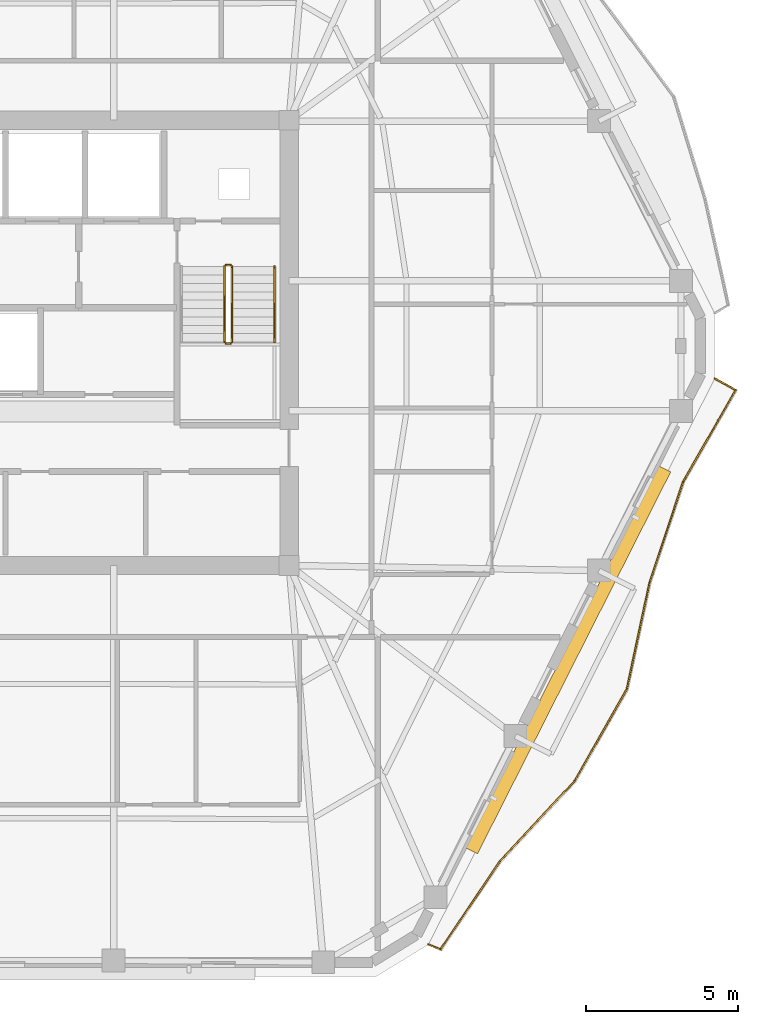
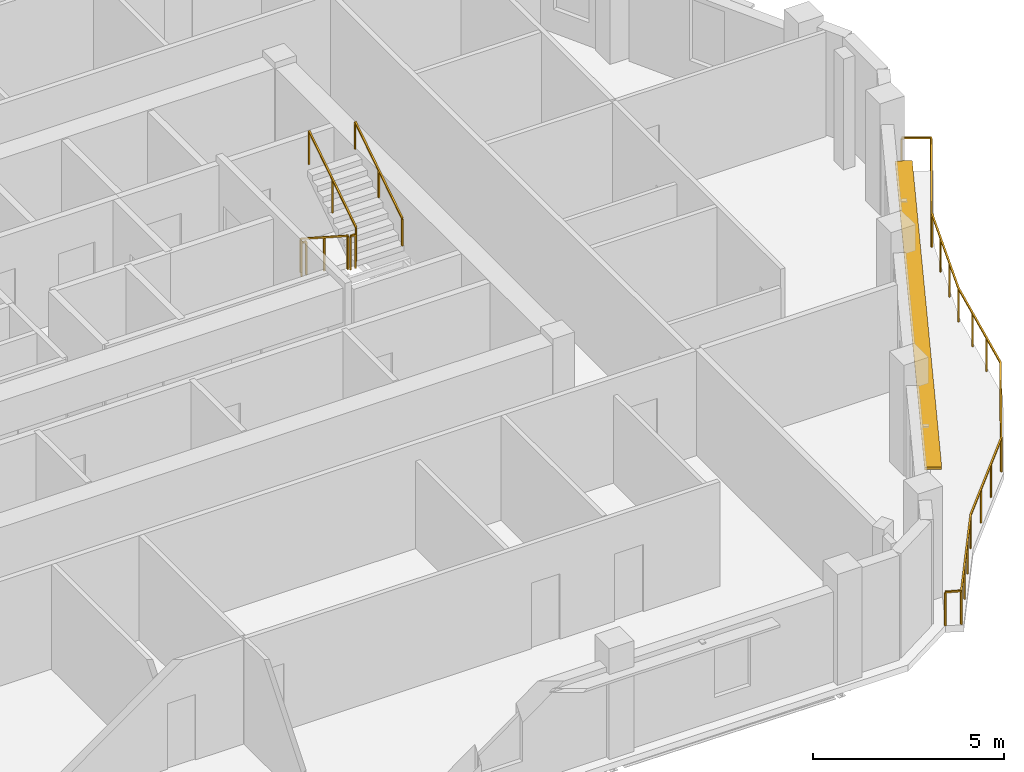
# One storey, part 11 of 12: 6 railings, 1 shading device.
"""IFC4 building model written with IfcOpenShell, lengths in metres."""

import ifcopenshell
import ifcopenshell.guid

model = None  # the IFC model being written
_history = None  # IfcOwnerHistory: only IFC2X3 demands one
_inside = {}  # id of a spatial element -> (the spatial element, [elements in it])
_under = {}  # id of a project, library or spatial element -> (it, [spatial elements below it])
_declared = {}  # id of a project -> (the project, [libraries it declares])
_typed = {}  # id of a type object -> (the type object, [elements of that type])
_made_of = {}  # id of a material, layer set ... -> (it, [elements and type objects made of it])


def new_model(schema):
    """Start an empty IFC model of exactly this schema.

    Asked for "IFC4X3", IfcOpenShell would pick the latest addendum, in which some entities
    have other attributes; the version numbers below select the first issue.
    IFC2X3 requires an IfcOwnerHistory on every rooted entity: one is made here for all.
    """
    global model, _history
    if schema == "IFC4X3":
        model = ifcopenshell.file(schema_version=(4, 3, 0, 0))
    else:
        model = ifcopenshell.file(schema=schema)
    _inside.clear()
    _under.clear()
    _declared.clear()
    _typed.clear()
    _made_of.clear()
    _history = None
    if model.schema == "IFC2X3":
        org = make("IfcOrganization", Name="unknown")
        user = make(
            "IfcPersonAndOrganization",
            ThePerson=make("IfcPerson", FamilyName="unknown"),
            TheOrganization=org,
        )
        app = make(
            "IfcApplication",
            ApplicationDeveloper=org,
            Version="unknown",
            ApplicationFullName="unknown",
            ApplicationIdentifier="unknown",
        )
        _history = make(
            "IfcOwnerHistory",
            OwningUser=user,
            OwningApplication=app,
            ChangeAction="ADDED",
            CreationDate=0,
        )
    return model


def make(cls, **values):
    """One entity of the class cls with the attributes given. An attribute that is None is left unset."""
    return model.create_entity(
        cls, **{name: value for name, value in values.items() if value is not None}
    )


def rooted(cls, **values):
    """An entity with a GlobalId (a new one), such as an element, a storey or a relation."""
    return make(cls, GlobalId=ifcopenshell.guid.new(), OwnerHistory=_history, **values)


def si_unit(unit_type, name, prefix=None):
    """IfcSIUnit, for example si_unit("LENGTHUNIT", "METRE", prefix="MILLI")."""
    return make("IfcSIUnit", UnitType=unit_type, Prefix=prefix, Name=name)


def assignment(units):
    """IfcUnitAssignment: the units of a project."""
    return None if units is None else make("IfcUnitAssignment", Units=units)


def point(xyz):
    """IfcCartesianPoint."""
    return None if xyz is None else make("IfcCartesianPoint", Coordinates=xyz)


def direction(xyz):
    """IfcDirection."""
    return None if xyz is None else make("IfcDirection", DirectionRatios=xyz)


def frame(location, z_axis=None, x_axis=None):
    """IfcAxis2Placement3D, a coordinate frame: its origin and axes. An axis left out is left unset."""
    return make(
        "IfcAxis2Placement3D",
        Location=point(location),
        Axis=direction(z_axis),
        RefDirection=direction(x_axis),
    )


def frame_2d(location, x_axis=None):
    """IfcAxis2Placement2D, a coordinate frame in the plane: its origin and x axis."""
    return make(
        "IfcAxis2Placement2D", Location=point(location), RefDirection=direction(x_axis)
    )


def origin():
    """The frame at (0, 0, 0) with its axes left unset."""
    return frame((0.0, 0.0, 0.0))


def origin_2d():
    """The frame at (0, 0) in the plane with its x axis left unset."""
    return frame_2d((0.0, 0.0))


def place(relative_to, where):
    """IfcLocalPlacement: puts the frame where relative to a parent placement (None: the world)."""
    return make(
        "IfcLocalPlacement", PlacementRelTo=relative_to, RelativePlacement=where
    )


def context(
    kind, dimensions, precision=None, world=None, true_north=None, identifier=None
):
    """IfcGeometricRepresentationContext, for example the 3D "Model" context."""
    return make(
        "IfcGeometricRepresentationContext",
        ContextIdentifier=identifier,
        ContextType=kind,
        CoordinateSpaceDimension=dimensions,
        Precision=precision,
        WorldCoordinateSystem=world,
        TrueNorth=true_north,
    )


def subcontext(parent, identifier, kind, view, scale=None):
    """IfcGeometricRepresentationSubContext, for example "Body" below "Model"."""
    return make(
        "IfcGeometricRepresentationSubContext",
        ContextIdentifier=identifier,
        ContextType=kind,
        ParentContext=parent,
        TargetScale=scale,
        TargetView=view,
    )


def project(units=None, contexts=None):
    """IfcProject with its units and contexts."""
    return rooted(
        "IfcProject",
        Name="project",
        RepresentationContexts=contexts,
        UnitsInContext=assignment(units),
    )


def spatial(cls, under=None, at=None, **own):
    """A site, building, storey or space (cls), placed at a placement, below another one or the project."""
    s = rooted(cls, ObjectPlacement=at, **own)
    if under is not None:
        _under.setdefault(under.id(), (under, []))[1].append(s)
    return s


def profile(cls, at=None, kind="AREA", **sizes):
    """A parametric profile (cls). Its sizes go by their IFC names, for example OverallWidth=200.0."""
    return make(cls, ProfileType=kind, Position=at, **sizes)


def rectangle(**sizes):
    """IfcRectangleProfileDef."""
    return profile("IfcRectangleProfileDef", **sizes)


def extrude(swept, where, along, depth):
    """IfcExtrudedAreaSolid: the profile swept, set in the frame where, extruded along a direction by depth."""
    return make(
        "IfcExtrudedAreaSolid",
        SweptArea=swept,
        Position=where,
        ExtrudedDirection=direction(along),
        Depth=depth,
    )


def shape(context_of_items, identifier, shape_type, items):
    """IfcShapeRepresentation: the items that make up one representation, for example the "Body"."""
    return make(
        "IfcShapeRepresentation",
        ContextOfItems=context_of_items,
        RepresentationIdentifier=identifier,
        RepresentationType=shape_type,
        Items=items,
    )


def material(Name=None, Category=None):
    """IfcMaterial."""
    return make("IfcMaterial", Name=Name, Category=Category)


def layer(
    of_material, thickness, ventilated=None, Name=None, Category=None, Priority=None
):
    """IfcMaterialLayer: one layer of a wall or slab, of a material (None: an air gap)."""
    return make(
        "IfcMaterialLayer",
        Material=of_material,
        LayerThickness=thickness,
        IsVentilated=ventilated,
        Name=Name,
        Category=Category,
        Priority=Priority,
    )


def layer_set(layers, Name=None):
    """IfcMaterialLayerSet."""
    return make("IfcMaterialLayerSet", MaterialLayers=layers, LayerSetName=Name)


def made_of(thing, what):
    """Note that an element or type object is made of a material, layer set ...; save() writes the relation."""
    if what is not None:
        _made_of.setdefault(what.id(), (what, []))[1].append(thing)
    return thing


def type_object(cls, material=None, **own):
    """A type object (cls), such as IfcWallType, which elements share."""
    return made_of(rooted(cls, **own), material)


def element(
    cls,
    number,
    at=None,
    inside=None,
    cuts=None,
    type_object=None,
    material=None,
    context=None,
    identifier="Body",
    shape_type=None,
    held_by="IfcProductDefinitionShape",
    body=None,
    shapes=None,
    **own,
):
    """One element of the class cls, such as IfcWall. Its Tag is "e" and its number.

    at: its placement. inside: the storey or other place that contains it. cuts: it is an
    opening in that element (IfcRelVoidsElement). A single representation is given by context,
    identifier, shape_type and body (its items); several are given by shapes. held_by: the class
    of the entity that holds the representations. save() writes the other relations.
    """
    e = rooted(cls, Tag="e%d" % number, ObjectPlacement=at, **own)
    if body is not None:
        shapes = [shape(context, identifier, shape_type, body)]
    if shapes is not None:
        e.Representation = make(held_by, Representations=shapes)
    if inside is not None:
        _inside.setdefault(inside.id(), (inside, []))[1].append(e)
    if cuts is not None:
        rooted(
            "IfcRelVoidsElement", RelatingBuildingElement=cuts, RelatedOpeningElement=e
        )
    if type_object is not None:
        _typed.setdefault(type_object.id(), (type_object, []))[1].append(e)
    return made_of(e, material)


def aggregate(whole, parts):
    """IfcRelAggregates: a whole, such as a stair, and the parts it consists of."""
    return rooted("IfcRelAggregates", RelatingObject=whole, RelatedObjects=parts)


def save(model, path):
    """Write the relations noted so far, then the file.

    IfcRelAggregates (storeys below a building ...), IfcRelContainedInSpatialStructure (elements
    in a storey), IfcRelDefinesByType, IfcRelAssociatesMaterial and IfcRelDeclares: one each for
    every whole, place, type object, material and project.
    """
    for whole, parts in _under.values():
        aggregate(whole, parts)
    for where, things in _inside.values():
        rooted(
            "IfcRelContainedInSpatialStructure",
            RelatedElements=things,
            RelatingStructure=where,
        )
    for kind, things in _typed.values():
        rooted("IfcRelDefinesByType", RelatedObjects=things, RelatingType=kind)
    for what, things in _made_of.values():
        rooted("IfcRelAssociatesMaterial", RelatedObjects=things, RelatingMaterial=what)
    for by, libraries in _declared.values():
        rooted("IfcRelDeclares", RelatingContext=by, RelatedDefinitions=libraries)
    model.write(path)


model = new_model("IFC4")

# Units and contexts
model_context = context("Model", 3, precision=1e-05, world=origin(), true_north=direction((0.0, 1.0)))
body_context = subcontext(model_context, "Body", "Model", "MODEL_VIEW")
ifc_project = project(units=[si_unit("LENGTHUNIT", "METRE"), si_unit("AREAUNIT", "SQUARE_METRE"), si_unit("VOLUMEUNIT", "CUBIC_METRE"), si_unit("PLANEANGLEUNIT", "RADIAN"), si_unit("MASSUNIT", "GRAM", prefix="KILO")], contexts=[model_context])

# Site, building, storey
site_placement = place(None, origin())
site = spatial("IfcSite", under=ifc_project, at=site_placement, CompositionType="ELEMENT")
building_placement = place(site_placement, origin())
building = spatial("IfcBuilding", under=site, at=building_placement, Name="Cinnabar Lancet Tower", CompositionType="ELEMENT")
storey_placement = place(building_placement, frame((0.0, 0.0, 210.949951171875)))
storey = spatial("IfcBuildingStorey", under=building, at=storey_placement, Name="L56", CompositionType="ELEMENT", Elevation=210.949951171875)

# Railing
ifc_material_1 = material(Name="Laminated safety glass and bronze stainless steel balustrade", Category="steel")
railing_type_1 = type_object("IfcRailingType", Name="ENV-RLG-BAL-1100", PredefinedType="BALUSTRADE", material=ifc_material_1)
railing_1_placement = place(storey_placement, frame((46.27001953125, 6.1708984375, 0.0)))
element("IfcRailing", 1, at=railing_1_placement, inside=storey, type_object=railing_type_1, Name="L56 Face 2 Wave Balcony Balustrade", PredefinedType="BALUSTRADE", context=body_context, shape_type="SweptSolid", body=[
    extrude(rectangle(XDim=0.048095703125, YDim=0.048095703125, at=origin_2d()), frame((0.0, 0.0, 1.076171875), z_axis=(0.924666203681, -0.380778691329, 0.0), x_axis=(0.380778691329, 0.924666203681, 0.0)), (0.0, 0.0, 1.0), 0.425048828125),
    extrude(rectangle(XDim=0.048095703125, YDim=0.048095703125, at=origin_2d()), frame((0.39306640625, -0.161865234375, 1.076171875), z_axis=(0.559589570229, 0.828769879334, 0.0), x_axis=(-0.828769879334, 0.559589570229, 0.0)), (0.0, 0.0, 1.0), 3.484619140625),
    extrude(rectangle(XDim=0.048095703125, YDim=0.048095703125, at=origin_2d()), frame((2.343017578125, 2.72607421875, 1.076171875), z_axis=(0.681192799696, 0.732104070226, 0.0), x_axis=(-0.732104070226, 0.681192799696, 0.0)), (0.0, 0.0, 1.0), 3.5966796875),
    extrude(rectangle(XDim=0.048095703125, YDim=0.048095703125, at=origin_2d()), frame((4.79296875, 5.359130859375, 1.076171875), z_axis=(0.494192446778, 0.869352532375, 0.0), x_axis=(-0.869352532375, 0.494192446778, 0.0)), (0.0, 0.0, 1.0), 3.460205078125),
    extrude(rectangle(XDim=0.048095703125, YDim=0.048095703125, at=origin_2d()), frame((6.5029296875, 8.3671875, 1.076171875), z_axis=(0.208516488641, 0.978018851539, 0.0), x_axis=(-0.978018851539, 0.208516488641, 0.0)), (0.0, 0.0, 1.0), 3.573486328125),
    extrude(rectangle(XDim=0.048095703125, YDim=0.048095703125, at=origin_2d()), frame((7.248046875, 11.862060546875, 1.076171875), z_axis=(0.31606001582, 0.948739198305, 0.0), x_axis=(-0.948739198305, 0.31606001582, 0.0)), (0.0, 0.0, 1.0), 3.492919921875),
    extrude(rectangle(XDim=0.048095703125, YDim=0.048095703125, at=origin_2d()), frame((8.35205078125, 15.176025390625, 1.076171875), z_axis=(0.497072727256, 0.867708881952, 0.0), x_axis=(-0.867708881952, 0.497072727256, 0.0)), (0.0, 0.0, 1.0), 3.462158203125),
    extrude(rectangle(XDim=0.048095703125, YDim=0.048095703125, at=origin_2d()), frame((10.072998046875, 18.18017578125, 1.076171875), z_axis=(-0.875595888351, 0.483044346104, 0.0), x_axis=(-0.483044346104, -0.875595888351, 0.0)), (0.0, 0.0, 1.0), 0.782470703125),
    extrude(rectangle(XDim=0.0419921875, YDim=0.0419921875, at=origin_2d()), origin(), (0.0, 0.0, 1.0), 1.052001953125),
    extrude(rectangle(XDim=0.0419921875, YDim=0.0419921875, at=origin_2d()), frame((0.39306640625, -0.161865234375, 0.0)), (0.0, 0.0, 1.0), 1.052001953125),
    extrude(rectangle(XDim=0.0419921875, YDim=0.0419921875, at=origin_2d()), frame((1.04296875, 0.80078125, 0.0)), (0.0, 0.0, 1.0), 1.052001953125),
    extrude(rectangle(XDim=0.0419921875, YDim=0.0419921875, at=origin_2d()), frame((1.693115234375, 1.763427734375, 0.0)), (0.0, 0.0, 1.0), 1.052001953125),
    extrude(rectangle(XDim=0.0419921875, YDim=0.0419921875, at=origin_2d()), frame((2.343017578125, 2.72607421875, 0.0)), (0.0, 0.0, 1.0), 1.052001953125),
    extrude(rectangle(XDim=0.0419921875, YDim=0.0419921875, at=origin_2d()), frame((3.15966796875, 3.603759765625, 0.0)), (0.0, 0.0, 1.0), 1.052001953125),
    extrude(rectangle(XDim=0.0419921875, YDim=0.0419921875, at=origin_2d()), frame((3.976318359375, 4.4814453125, 0.0)), (0.0, 0.0, 1.0), 1.052001953125),
    extrude(rectangle(XDim=0.0419921875, YDim=0.0419921875, at=origin_2d()), frame((4.79296875, 5.359130859375, 0.0)), (0.0, 0.0, 1.0), 1.052001953125),
    extrude(rectangle(XDim=0.0419921875, YDim=0.0419921875, at=origin_2d()), frame((5.363037109375, 6.36181640625, 0.0)), (0.0, 0.0, 1.0), 1.052001953125),
    extrude(rectangle(XDim=0.0419921875, YDim=0.0419921875, at=origin_2d()), frame((5.932861328125, 7.364501953125, 0.0)), (0.0, 0.0, 1.0), 1.052001953125),
    extrude(rectangle(XDim=0.0419921875, YDim=0.0419921875, at=origin_2d()), frame((6.5029296875, 8.3671875, 0.0)), (0.0, 0.0, 1.0), 1.052001953125),
    extrude(rectangle(XDim=0.0419921875, YDim=0.0419921875, at=origin_2d()), frame((6.751220703125, 9.5322265625, 0.0)), (0.0, 0.0, 1.0), 1.052001953125),
    extrude(rectangle(XDim=0.0419921875, YDim=0.0419921875, at=origin_2d()), frame((6.999755859375, 10.697021484375, 0.0)), (0.0, 0.0, 1.0), 1.052001953125),
    extrude(rectangle(XDim=0.0419921875, YDim=0.0419921875, at=origin_2d()), frame((7.248046875, 11.862060546875, 0.0)), (0.0, 0.0, 1.0), 1.052001953125),
    extrude(rectangle(XDim=0.0419921875, YDim=0.0419921875, at=origin_2d()), frame((7.615966796875, 12.966796875, 0.0)), (0.0, 0.0, 1.0), 1.052001953125),
    extrude(rectangle(XDim=0.0419921875, YDim=0.0419921875, at=origin_2d()), frame((7.984130859375, 14.0712890625, 0.0)), (0.0, 0.0, 1.0), 1.052001953125),
    extrude(rectangle(XDim=0.0419921875, YDim=0.0419921875, at=origin_2d()), frame((8.35205078125, 15.176025390625, 0.0)), (0.0, 0.0, 1.0), 1.052001953125),
    extrude(rectangle(XDim=0.0419921875, YDim=0.0419921875, at=origin_2d()), frame((8.92578125, 16.177490234375, 0.0)), (0.0, 0.0, 1.0), 1.052001953125),
    extrude(rectangle(XDim=0.0419921875, YDim=0.0419921875, at=origin_2d()), frame((9.499267578125, 17.1787109375, 0.0)), (0.0, 0.0, 1.0), 1.052001953125),
    extrude(rectangle(XDim=0.0419921875, YDim=0.0419921875, at=origin_2d()), frame((10.072998046875, 18.18017578125, 0.0)), (0.0, 0.0, 1.0), 1.052001953125),
    extrude(rectangle(XDim=0.0419921875, YDim=0.0419921875, at=origin_2d()), frame((9.387939453125, 18.55810546875, 0.0)), (0.0, 0.0, 1.0), 1.052001953125),
])

# Shading device
ifc_material_2 = material(Name="Pale limestone architectural aluminium sunshade", Category="masonry")
ifc_layer = layer(ifc_material_2, 0.080078125)
ifc_layer_set = layer_set([ifc_layer], Name="Pale limestone architectural aluminium sunshade")
shading_device_type = type_object("IfcShadingDeviceType", Name="ENV-SHD-LVR-450", PredefinedType="JALOUSIE", material=ifc_layer_set)
shading_device_placement = place(storey_placement, frame((50.845947265625, 15.506103515625, 2.639892578125), z_axis=(0.0, 0.0, 1.0), x_axis=(0.45140713236, 0.892318105193, 0.0)))
element("IfcShadingDevice", 2, at=shading_device_placement, inside=storey, type_object=shading_device_type, Name="L56 Face 2 Horizontal Sunshade Canopy", PredefinedType="JALOUSIE", context=body_context, shape_type="SweptSolid", body=[
    extrude(rectangle(XDim=14.034912109375, YDim=0.449951171875, at=origin_2d()), origin(), (0.0, 0.0, 1.0), 0.080078125),
])

# Railings
ifc_material_3 = material(Name="Painted galvanized steel balustrade", Category="steel")
railing_type_2 = type_object("IfcRailingType", Name="GUARD-STAIR", PredefinedType="GUARDRAIL", material=ifc_material_3)
railing_2_placement = place(storey_placement, frame((39.574951171875, 28.39990234375, 0.177490234375)))
element("IfcRailing", 3, at=railing_2_placement, inside=storey, type_object=railing_type_2, Name="L56 ST-2 stair guard 1", PredefinedType="GUARDRAIL", context=body_context, shape_type="SweptSolid", body=[
    extrude(rectangle(XDim=0.048095703125, YDim=0.048095703125, at=origin_2d()), frame((0.0, 0.0, 1.076171875), z_axis=(0.0, -0.84014559416, 0.542360932049), x_axis=(1.0, 0.0, 0.0)), (0.0, 0.0, 1.0), 2.94580078125),
    extrude(rectangle(XDim=0.0419921875, YDim=0.0419921875, at=origin_2d()), origin(), (0.0, 0.0, 1.0), 1.052001953125),
    extrude(rectangle(XDim=0.0419921875, YDim=0.0419921875, at=origin_2d()), frame((0.0, -1.2373046875, 0.798828125)), (0.0, 0.0, 1.0), 1.052001953125),
    extrude(rectangle(XDim=0.0419921875, YDim=0.0419921875, at=origin_2d()), frame((0.0, -2.474853515625, 1.59765625)), (0.0, 0.0, 1.0), 1.052001953125),
])
railing_3_placement = place(storey_placement, frame((39.625, 25.875, 1.775146484375)))
element("IfcRailing", 4, at=railing_3_placement, inside=storey, type_object=railing_type_2, Name="L56 ST-2 stair guard 2", PredefinedType="GUARDRAIL", context=body_context, shape_type="SweptSolid", body=[
    extrude(rectangle(XDim=0.048095703125, YDim=0.048095703125, at=origin_2d()), frame((0.0, 0.0, 1.076171875), z_axis=(1.0, 0.0, 0.0), x_axis=(0.0, 1.0, 0.0)), (0.0, 0.0, 1.0), 0.14990234375),
    extrude(rectangle(XDim=0.0419921875, YDim=0.0419921875, at=origin_2d()), origin(), (0.0, 0.0, 1.0), 1.052001953125),
    extrude(rectangle(XDim=0.0419921875, YDim=0.0419921875, at=origin_2d()), frame((0.14990234375, 0.0, 0.0)), (0.0, 0.0, 1.0), 1.052001953125),
])
railing_4_placement = place(storey_placement, frame((39.824951171875, 25.925048828125, 1.95263671875)))
element("IfcRailing", 5, at=railing_4_placement, inside=storey, type_object=railing_type_2, Name="L56 ST-2 stair guard 3", PredefinedType="GUARDRAIL", context=body_context, shape_type="SweptSolid", body=[
    extrude(rectangle(XDim=0.048095703125, YDim=0.048095703125, at=origin_2d()), frame((0.0, 0.0, 1.076171875), z_axis=(0.0, 0.840183358697, 0.542302428327), x_axis=(-1.0, 0.0, 0.0)), (0.0, 0.0, 1.0), 2.945556640625),
    extrude(rectangle(XDim=0.0419921875, YDim=0.0419921875, at=origin_2d()), origin(), (0.0, 0.0, 1.0), 1.052001953125),
    extrude(rectangle(XDim=0.0419921875, YDim=0.0419921875, at=origin_2d()), frame((0.0, 1.2373046875, 0.798828125)), (0.0, 0.0, 1.0), 1.052001953125),
    extrude(rectangle(XDim=0.0419921875, YDim=0.0419921875, at=origin_2d()), frame((0.0, 2.474853515625, 1.597412109375)), (0.0, 0.0, 1.0), 1.052001953125),
])
railing_5_placement = place(storey_placement, frame((39.625, 28.449951171875, 0.0)))
element("IfcRailing", 6, at=railing_5_placement, inside=storey, type_object=railing_type_2, Name="L56 ST-2 stair guard 4", PredefinedType="GUARDRAIL", context=body_context, shape_type="SweptSolid", body=[
    extrude(rectangle(XDim=0.048095703125, YDim=0.048095703125, at=origin_2d()), frame((0.0, 0.0, 1.076171875), z_axis=(1.0, 0.0, 0.0), x_axis=(0.0, 1.0, 0.0)), (0.0, 0.0, 1.0), 0.14990234375),
    extrude(rectangle(XDim=0.0419921875, YDim=0.0419921875, at=origin_2d()), origin(), (0.0, 0.0, 1.0), 1.052001953125),
    extrude(rectangle(XDim=0.0419921875, YDim=0.0419921875, at=origin_2d()), frame((0.14990234375, 0.0, 0.0)), (0.0, 0.0, 1.0), 1.052001953125),
])
ifc_material_4 = material(Name="Brushed stainless steel handrail", Category="steel")
railing_type_3 = type_object("IfcRailingType", Name="HANDRAIL-STAIR", PredefinedType="HANDRAIL", material=ifc_material_4)
railing_6_placement = place(storey_placement, frame((41.22509765625, 25.925048828125, 1.95263671875)))
element("IfcRailing", 7, at=railing_6_placement, inside=storey, type_object=railing_type_3, Name="L56 ST-2 stair handrail 2", PredefinedType="HANDRAIL", context=body_context, shape_type="SweptSolid", body=[
    extrude(rectangle(XDim=0.048095703125, YDim=0.048095703125, at=origin_2d()), frame((0.0, 0.0, 0.8759765625), z_axis=(0.0, 0.840183358697, 0.542302428327), x_axis=(-1.0, 0.0, 0.0)), (0.0, 0.0, 1.0), 2.945556640625),
    extrude(rectangle(XDim=0.0419921875, YDim=0.0419921875, at=origin_2d()), origin(), (0.0, 0.0, 1.0), 0.851806640625),
    extrude(rectangle(XDim=0.0419921875, YDim=0.0419921875, at=origin_2d()), frame((0.0, 1.2373046875, 0.798828125)), (0.0, 0.0, 1.0), 0.851806640625),
    extrude(rectangle(XDim=0.0419921875, YDim=0.0419921875, at=origin_2d()), frame((0.0, 2.474853515625, 1.597412109375)), (0.0, 0.0, 1.0), 0.851806640625),
])

save(model, "model.ifc")
